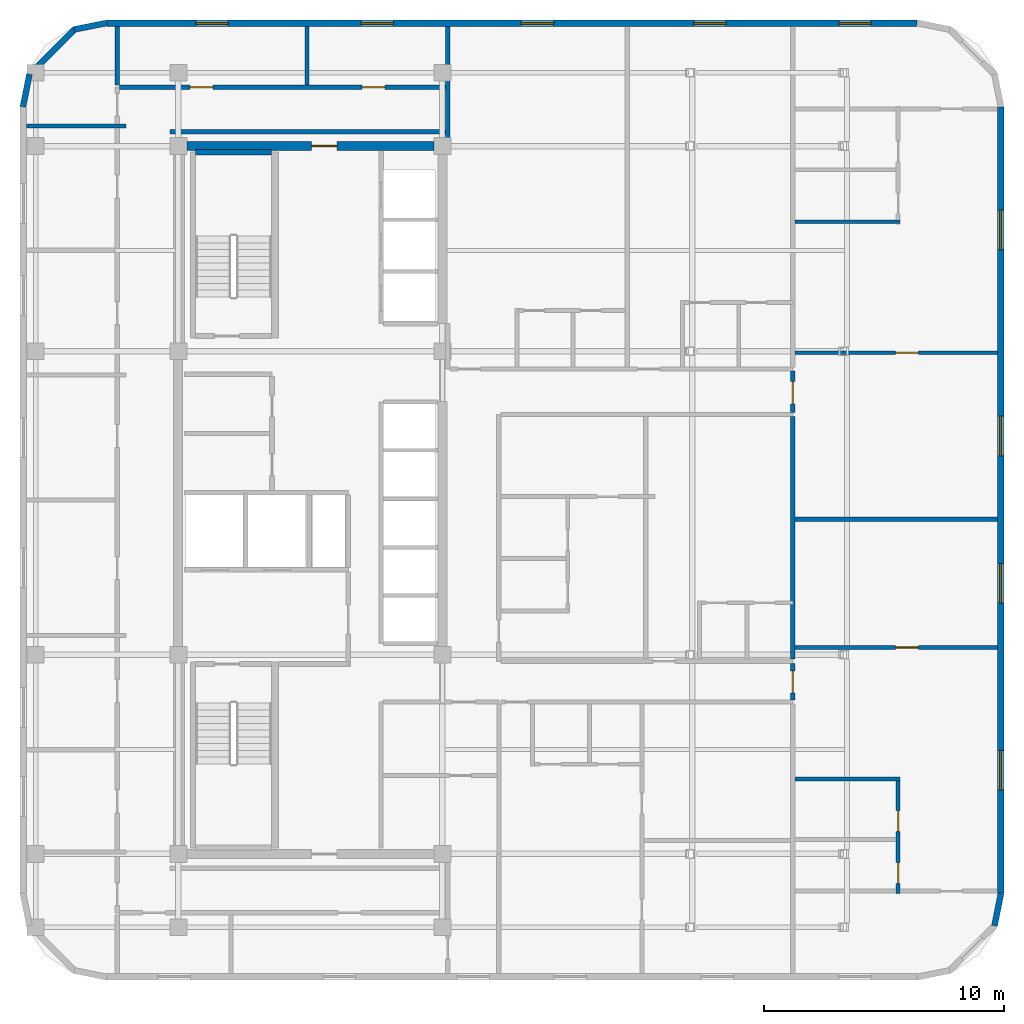
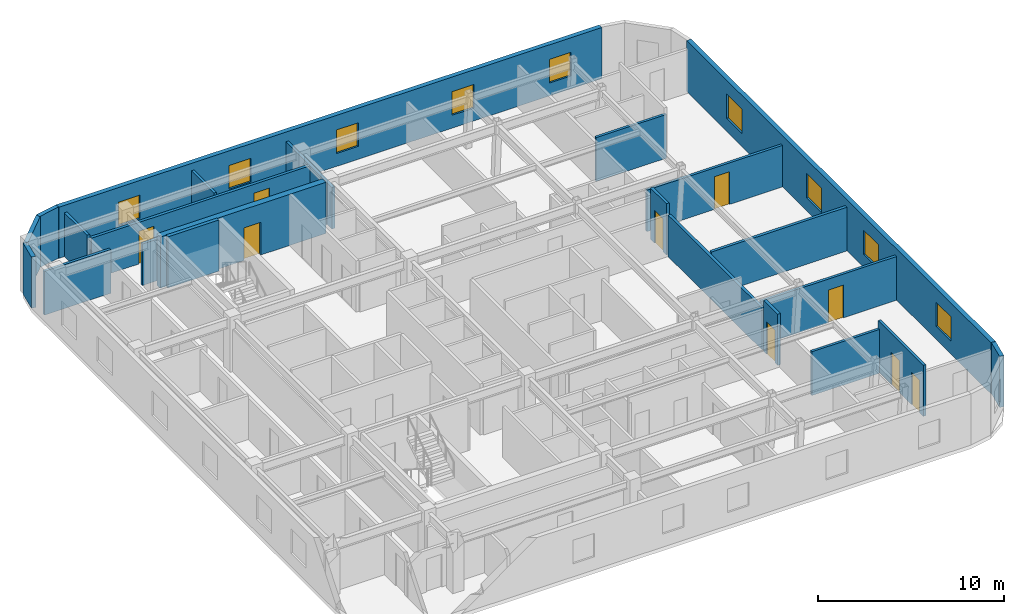
# One storey, part 6 of 8: 23 walls, 9 doors, 9 windows, 18 openings.
"""IFC4 building model written with IfcOpenShell, lengths in metres."""

from ifc_helpers import new_model, si_unit, direction, frame, frame_2d, origin, place, context, subcontext, project, spatial, rectangle, extrude, material, layer, layer_set, type_object, element, fill, save


model = new_model("IFC4")

# Units and contexts
model_context = context("Model", 3, precision=1e-05, world=origin(), true_north=direction((0.0, 1.0)))
body_context = subcontext(model_context, "Body", "Model", "MODEL_VIEW")
ifc_project = project(units=[si_unit("LENGTHUNIT", "METRE"), si_unit("AREAUNIT", "SQUARE_METRE"), si_unit("VOLUMEUNIT", "CUBIC_METRE"), si_unit("PLANEANGLEUNIT", "RADIAN"), si_unit("MASSUNIT", "GRAM", prefix="KILO")], contexts=[model_context])

# Site, building, storey
site_placement = place(None, origin())
site = spatial("IfcSite", under=ifc_project, at=site_placement, CompositionType="ELEMENT")
building_placement = place(site_placement, origin())
building = spatial("IfcBuilding", under=site, at=building_placement, Name="Ochreholt Gables", CompositionType="ELEMENT")
storey_placement = place(building_placement, frame((0.0, 0.0, 159.0)))
storey = spatial("IfcBuildingStorey", under=building, at=storey_placement, Name="L41", CompositionType="ELEMENT", Elevation=159.0)

# Wall, opening, door
ifc_material_1 = material(Name="Concrete 50 MPa", Category="concrete")
ifc_layer_1 = layer(ifc_material_1, 0.3798828125, Name="Concrete 50 MPa")
ifc_layer_set_1 = layer_set([ifc_layer_1], Name="Concrete 50 MPa")
wall_type_1 = type_object("IfcWallType", Name="WALL-CSW-380", PredefinedType="SHEAR", material=ifc_layer_set_1)
wall_1_placement = place(storey_placement, frame((24.550048828125, 38.75, 0.0), z_axis=(0.0, 0.0, 1.0), x_axis=(1.0, 0.0, 0.0)))
wall_1 = element("IfcWall", 1, at=wall_1_placement, inside=storey, type_object=wall_type_1, Name="L41 Core North Shear Wall", PredefinedType="SHEAR", context=body_context, shape_type="SweptSolid", body=[
    extrude(rectangle(XDim=10.300048828125, YDim=0.3798828125, at=frame_2d((5.14990234375, 0.0))), origin(), (0.0, 0.0, 1.0), 3.360107421875),
])
opening_1_placement = place(wall_1_placement, frame((5.199951171875, 0.0, 0.0)))
opening_1 = element("IfcOpeningElement", 2, at=opening_1_placement, cuts=wall_1, Name="Opening D-FLB", PredefinedType="OPENING", context=body_context, shape_type="SweptSolid", body=[
    extrude(rectangle(XDim=1.050048828125, YDim=2.14990234375, at=frame_2d((0.52490234375, 1.074951171875))), frame((0.0, 0.199951171875, 0.0), z_axis=(0.0, -1.0, 0.0), x_axis=(1.0, 0.0, 0.0)), (0.0, 0.0, 1.0), 0.39990234375),
])
ifc_material_2 = material(Name="Hollow Metal Steel", Category="steel")
door_type_1 = type_object("IfcDoorType", Name="DR-INT-FLB1050", OperationType="NOTDEFINED", PredefinedType="DOOR", material=ifc_material_2)
door_1_placement = place(opening_1_placement, frame((1.050048828125, 0.0, 0.0), z_axis=(0.0, 0.0, 1.0), x_axis=(-1.0, 0.0, 0.0)))
door_1 = element("IfcDoor", 3, at=door_1_placement, inside=storey, type_object=door_type_1, Name="L41 Door D-C2CRN-L41", OperationType="SINGLE_SWING_RIGHT", OverallHeight=2.14990234375, OverallWidth=1.050048828125, PredefinedType="DOOR", context=body_context, shape_type="SweptSolid", body=[
    extrude(rectangle(XDim=1.050048828125, YDim=2.14990234375, at=frame_2d((0.52490234375, 1.074951171875))), frame((0.0, 0.02490234375, 0.0), z_axis=(0.0, -1.0, 0.0), x_axis=(1.0, 0.0, 0.0)), (0.0, 0.0, 1.0), 0.050048828125),
])
fill(opening_1, door_1)

# Wall, openings, windows
ifc_material_3 = material(Name="Precast concrete 40 MPa", Category="concrete")
ifc_layer_2 = layer(ifc_material_3, 0.280029296875, Name="Precast concrete 40 MPa")
ifc_layer_set_2 = layer_set([ifc_layer_2], Name="Precast concrete 40 MPa")
wall_type_2 = type_object("IfcWallType", Name="WALL-EXT-280", PredefinedType="SOLIDWALL", material=ifc_layer_set_2)
wall_2_placement = place(storey_placement, frame((58.4599609375, 7.6201171875, 0.0), z_axis=(0.0, 0.0, 1.0), x_axis=(0.0, 1.0, 0.0)))
wall_2 = element("IfcWall", 4, at=wall_2_placement, inside=storey, type_object=wall_type_2, Name="L41 East Exterior Wall", PredefinedType="SOLIDWALL", context=body_context, shape_type="SweptSolid", body=[
    extrude(rectangle(XDim=32.759765625, YDim=0.280029296875, at=frame_2d((16.3798828125, 0.0))), origin(), (0.0, 0.0, 1.0), 3.360107421875),
])
opening_2_placement = place(wall_2_placement, frame((4.290283203125, 0.0, 0.85009765625)))
opening_2 = element("IfcOpeningElement", 5, at=opening_2_placement, cuts=wall_2, Name="Opening WN-7", PredefinedType="OPENING", context=body_context, shape_type="SweptSolid", body=[
    extrude(rectangle(XDim=1.64990234375, YDim=1.60009765625, at=frame_2d((0.824951171875, 0.800048828125))), frame((0.0, 0.14990234375, 0.0), z_axis=(0.0, -1.0, 0.0), x_axis=(1.0, 0.0, 0.0)), (0.0, 0.0, 1.0), 0.300048828125),
])
opening_3_placement = place(wall_2_placement, frame((12.080078125, 0.0, 0.85009765625)))
opening_3 = element("IfcOpeningElement", 6, at=opening_3_placement, cuts=wall_2, Name="Opening WN-7", PredefinedType="OPENING", context=body_context, shape_type="SweptSolid", body=[
    extrude(rectangle(XDim=1.64990234375, YDim=1.60009765625, at=frame_2d((0.824951171875, 0.800048828125))), frame((0.0, 0.14990234375, 0.0), z_axis=(0.0, -1.0, 0.0), x_axis=(1.0, 0.0, 0.0)), (0.0, 0.0, 1.0), 0.300048828125),
])
opening_4_placement = place(wall_2_placement, frame((18.22265625, 0.0, 0.85009765625)))
opening_4 = element("IfcOpeningElement", 7, at=opening_4_placement, cuts=wall_2, Name="Opening WN-7", PredefinedType="OPENING", context=body_context, shape_type="SweptSolid", body=[
    extrude(rectangle(XDim=1.64990234375, YDim=1.60009765625, at=frame_2d((0.824951171875, 0.800048828125))), frame((0.0, 0.14990234375, 0.0), z_axis=(0.0, -1.0, 0.0), x_axis=(1.0, 0.0, 0.0)), (0.0, 0.0, 1.0), 0.300048828125),
])
opening_5_placement = place(wall_2_placement, frame((26.8125, 0.0, 0.85009765625)))
opening_5 = element("IfcOpeningElement", 8, at=opening_5_placement, cuts=wall_2, Name="Opening WN-7", PredefinedType="OPENING", context=body_context, shape_type="SweptSolid", body=[
    extrude(rectangle(XDim=1.64990234375, YDim=1.60009765625, at=frame_2d((0.824951171875, 0.800048828125))), frame((0.0, 0.14990234375, 0.0), z_axis=(0.0, -1.0, 0.0), x_axis=(1.0, 0.0, 0.0)), (0.0, 0.0, 1.0), 0.300048828125),
])
ifc_material_4 = material(Name="Triple-Glazed Thermally Broken Aluminium Window", Category="aluminium")
window_type_1 = type_object("IfcWindowType", Name="WIN-RES-1650", PartitioningType="SINGLE_PANEL", PredefinedType="WINDOW", material=ifc_material_4)
window_1_placement = place(opening_2_placement, origin())
window_1 = element("IfcWindow", 9, at=window_1_placement, inside=storey, type_object=window_type_1, Name="L41 Window W-EXT-E-L41-1", OverallHeight=1.60009765625, OverallWidth=1.64990234375, PartitioningType="SINGLE_PANEL", PredefinedType="WINDOW", context=body_context, shape_type="SweptSolid", body=[
    extrude(rectangle(XDim=1.64990234375, YDim=1.60009765625, at=frame_2d((0.824951171875, 0.800048828125))), frame((0.0, 0.030029296875, 0.0), z_axis=(0.0, -1.0, 0.0), x_axis=(1.0, 0.0, 0.0)), (0.0, 0.0, 1.0), 0.06005859375),
])
fill(opening_2, window_1)
window_2_placement = place(opening_3_placement, origin())
window_2 = element("IfcWindow", 10, at=window_2_placement, inside=storey, type_object=window_type_1, Name="L41 Window W-EXT-E-L41-2", OverallHeight=1.60009765625, OverallWidth=1.64990234375, PartitioningType="SINGLE_PANEL", PredefinedType="WINDOW", context=body_context, shape_type="SweptSolid", body=[
    extrude(rectangle(XDim=1.64990234375, YDim=1.60009765625, at=frame_2d((0.824951171875, 0.800048828125))), frame((0.0, 0.030029296875, 0.0), z_axis=(0.0, -1.0, 0.0), x_axis=(1.0, 0.0, 0.0)), (0.0, 0.0, 1.0), 0.06005859375),
])
fill(opening_3, window_2)
window_3_placement = place(opening_4_placement, origin())
window_3 = element("IfcWindow", 11, at=window_3_placement, inside=storey, type_object=window_type_1, Name="L41 Window W-EXT-E-L41-3", OverallHeight=1.60009765625, OverallWidth=1.64990234375, PartitioningType="SINGLE_PANEL", PredefinedType="WINDOW", context=body_context, shape_type="SweptSolid", body=[
    extrude(rectangle(XDim=1.64990234375, YDim=1.60009765625, at=frame_2d((0.824951171875, 0.800048828125))), frame((0.0, 0.030029296875, 0.0), z_axis=(0.0, -1.0, 0.0), x_axis=(1.0, 0.0, 0.0)), (0.0, 0.0, 1.0), 0.06005859375),
])
fill(opening_4, window_3)
window_4_placement = place(opening_5_placement, origin())
window_4 = element("IfcWindow", 12, at=window_4_placement, inside=storey, type_object=window_type_1, Name="L41 Window W-EXT-E-L41-4", OverallHeight=1.60009765625, OverallWidth=1.64990234375, PartitioningType="SINGLE_PANEL", PredefinedType="WINDOW", context=body_context, shape_type="SweptSolid", body=[
    extrude(rectangle(XDim=1.64990234375, YDim=1.60009765625, at=frame_2d((0.824951171875, 0.800048828125))), frame((0.0, 0.030029296875, 0.0), z_axis=(0.0, -1.0, 0.0), x_axis=(1.0, 0.0, 0.0)), (0.0, 0.0, 1.0), 0.06005859375),
])
fill(opening_5, window_4)

wall_3_placement = place(storey_placement, frame((54.97998046875, 43.860107421875, 0.0), z_axis=(0.0, 0.0, 1.0), x_axis=(-1.0, 0.0, 0.0)))
wall_3 = element("IfcWall", 13, at=wall_3_placement, inside=storey, type_object=wall_type_2, Name="L41 North Exterior Wall", PredefinedType="SOLIDWALL", context=body_context, shape_type="SweptSolid", body=[
    extrude(rectangle(XDim=33.760009765625, YDim=0.280029296875, at=frame_2d((16.8798828125, 0.0))), origin(), (0.0, 0.0, 1.0), 3.360107421875),
])
opening_6_placement = place(wall_3_placement, frame((28.705078125, 0.0, 0.85009765625)))
opening_6 = element("IfcOpeningElement", 14, at=opening_6_placement, cuts=wall_3, Name="Opening WN-8", PredefinedType="OPENING", context=body_context, shape_type="SweptSolid", body=[
    extrude(rectangle(XDim=1.35009765625, YDim=1.550048828125, at=frame_2d((0.675048828125, 0.77490234375))), frame((0.0, 0.14990234375, 0.0), z_axis=(0.0, -1.0, 0.0), x_axis=(1.0, 0.0, 0.0)), (0.0, 0.0, 1.0), 0.300048828125),
])
opening_7_placement = place(wall_3_placement, frame((21.820068359375, 0.0, 0.85009765625)))
opening_7 = element("IfcOpeningElement", 15, at=opening_7_placement, cuts=wall_3, Name="Opening WN-8", PredefinedType="OPENING", context=body_context, shape_type="SweptSolid", body=[
    extrude(rectangle(XDim=1.35009765625, YDim=1.550048828125, at=frame_2d((0.675048828125, 0.77490234375))), frame((0.0, 0.14990234375, 0.0), z_axis=(0.0, -1.0, 0.0), x_axis=(1.0, 0.0, 0.0)), (0.0, 0.0, 1.0), 0.300048828125),
])
opening_8_placement = place(wall_3_placement, frame((15.146240234375, 0.0, 0.85009765625)))
opening_8 = element("IfcOpeningElement", 16, at=opening_8_placement, cuts=wall_3, Name="Opening WN-8", PredefinedType="OPENING", context=body_context, shape_type="SweptSolid", body=[
    extrude(rectangle(XDim=1.35009765625, YDim=1.550048828125, at=frame_2d((0.675048828125, 0.77490234375))), frame((0.0, 0.14990234375, 0.0), z_axis=(0.0, -1.0, 0.0), x_axis=(1.0, 0.0, 0.0)), (0.0, 0.0, 1.0), 0.300048828125),
])
opening_9_placement = place(wall_3_placement, frame((7.956298828125, 0.0, 0.85009765625)))
opening_9 = element("IfcOpeningElement", 17, at=opening_9_placement, cuts=wall_3, Name="Opening WN-8", PredefinedType="OPENING", context=body_context, shape_type="SweptSolid", body=[
    extrude(rectangle(XDim=1.35009765625, YDim=1.550048828125, at=frame_2d((0.675048828125, 0.77490234375))), frame((0.0, 0.14990234375, 0.0), z_axis=(0.0, -1.0, 0.0), x_axis=(1.0, 0.0, 0.0)), (0.0, 0.0, 1.0), 0.300048828125),
])
opening_10_placement = place(wall_3_placement, frame((1.9150390625, 0.0, 0.85009765625)))
opening_10 = element("IfcOpeningElement", 18, at=opening_10_placement, cuts=wall_3, Name="Opening WN-8", PredefinedType="OPENING", context=body_context, shape_type="SweptSolid", body=[
    extrude(rectangle(XDim=1.35009765625, YDim=1.550048828125, at=frame_2d((0.675048828125, 0.77490234375))), frame((0.0, 0.14990234375, 0.0), z_axis=(0.0, -1.0, 0.0), x_axis=(1.0, 0.0, 0.0)), (0.0, 0.0, 1.0), 0.300048828125),
])
window_type_2 = type_object("IfcWindowType", Name="WIN-RES-1350", PartitioningType="SINGLE_PANEL", PredefinedType="WINDOW", material=ifc_material_4)
window_5_placement = place(opening_6_placement, origin())
window_5 = element("IfcWindow", 19, at=window_5_placement, inside=storey, type_object=window_type_2, Name="L41 Window W-EXT-N-L41-1", OverallHeight=1.550048828125, OverallWidth=1.35009765625, PartitioningType="SINGLE_PANEL", PredefinedType="WINDOW", context=body_context, shape_type="SweptSolid", body=[
    extrude(rectangle(XDim=1.35009765625, YDim=1.550048828125, at=frame_2d((0.675048828125, 0.77490234375))), frame((0.0, 0.030029296875, 0.0), z_axis=(0.0, -1.0, 0.0), x_axis=(1.0, 0.0, 0.0)), (0.0, 0.0, 1.0), 0.06005859375),
])
fill(opening_6, window_5)
window_6_placement = place(opening_7_placement, origin())
window_6 = element("IfcWindow", 20, at=window_6_placement, inside=storey, type_object=window_type_2, Name="L41 Window W-EXT-N-L41-2", OverallHeight=1.550048828125, OverallWidth=1.35009765625, PartitioningType="SINGLE_PANEL", PredefinedType="WINDOW", context=body_context, shape_type="SweptSolid", body=[
    extrude(rectangle(XDim=1.35009765625, YDim=1.550048828125, at=frame_2d((0.675048828125, 0.77490234375))), frame((0.0, 0.030029296875, 0.0), z_axis=(0.0, -1.0, 0.0), x_axis=(1.0, 0.0, 0.0)), (0.0, 0.0, 1.0), 0.06005859375),
])
fill(opening_7, window_6)
window_7_placement = place(opening_8_placement, origin())
window_7 = element("IfcWindow", 21, at=window_7_placement, inside=storey, type_object=window_type_2, Name="L41 Window W-EXT-N-L41-3", OverallHeight=1.550048828125, OverallWidth=1.35009765625, PartitioningType="SINGLE_PANEL", PredefinedType="WINDOW", context=body_context, shape_type="SweptSolid", body=[
    extrude(rectangle(XDim=1.35009765625, YDim=1.550048828125, at=frame_2d((0.675048828125, 0.77490234375))), frame((0.0, 0.030029296875, 0.0), z_axis=(0.0, -1.0, 0.0), x_axis=(1.0, 0.0, 0.0)), (0.0, 0.0, 1.0), 0.06005859375),
])
fill(opening_8, window_7)
window_8_placement = place(opening_9_placement, origin())
window_8 = element("IfcWindow", 22, at=window_8_placement, inside=storey, type_object=window_type_2, Name="L41 Window W-EXT-N-L41-4", OverallHeight=1.550048828125, OverallWidth=1.35009765625, PartitioningType="SINGLE_PANEL", PredefinedType="WINDOW", context=body_context, shape_type="SweptSolid", body=[
    extrude(rectangle(XDim=1.35009765625, YDim=1.550048828125, at=frame_2d((0.675048828125, 0.77490234375))), frame((0.0, 0.030029296875, 0.0), z_axis=(0.0, -1.0, 0.0), x_axis=(1.0, 0.0, 0.0)), (0.0, 0.0, 1.0), 0.06005859375),
])
fill(opening_9, window_8)
window_9_placement = place(opening_10_placement, origin())
window_9 = element("IfcWindow", 23, at=window_9_placement, inside=storey, type_object=window_type_2, Name="L41 Window W-EXT-N-L41-5", OverallHeight=1.550048828125, OverallWidth=1.35009765625, PartitioningType="SINGLE_PANEL", PredefinedType="WINDOW", context=body_context, shape_type="SweptSolid", body=[
    extrude(rectangle(XDim=1.35009765625, YDim=1.550048828125, at=frame_2d((0.675048828125, 0.77490234375))), frame((0.0, 0.030029296875, 0.0), z_axis=(0.0, -1.0, 0.0), x_axis=(1.0, 0.0, 0.0)), (0.0, 0.0, 1.0), 0.06005859375),
])
fill(opening_10, window_9)

# Walls
ifc_layer_3 = layer(ifc_material_3, 0.25, Name="Precast concrete 40 MPa")
ifc_layer_set_3 = layer_set([ifc_layer_3], Name="Precast concrete 40 MPa")
wall_type_3 = type_object("IfcWallType", Name="WALL-EXT-CNR", PredefinedType="SOLIDWALL", material=ifc_layer_set_3)
for number, where, z_axis, x_axis, name in (
    (24, (58.205078125, 6.25439453125, 0.0), (0.0, 0.0, 1.0), (0.19496651342, 0.980809899341, 0.0), "L41 Rounded Corner Wall SE-3"),
    (25, (21.216552734375, 43.875732421875, 0.0), (0.0, 0.0, 1.0), (-0.980809899341, -0.19496651342, 0.0), "L41 Rounded Corner Wall NW-1"),
):
    element("IfcWall", number, at=place(storey_placement, frame(where, z_axis=z_axis, x_axis=x_axis)), inside=storey, type_object=wall_type_3, Name=name, PredefinedType="SOLIDWALL", context=body_context, shape_type="SweptSolid", body=[
        extrude(rectangle(XDim=1.388671875, YDim=0.25, at=frame_2d((0.6943359375, 0.0))), origin(), (0.0, 0.0, 1.0), 3.360107421875),
    ])
wall_4_placement = place(storey_placement, frame((19.905029296875, 43.632080078125, 0.0), z_axis=(0.0, 0.0, 1.0), x_axis=(-0.707106781187, -0.707106781187, 0.0)))
element("IfcWall", 26, at=wall_4_placement, inside=storey, type_object=wall_type_3, Name="L41 Rounded Corner Wall NW-2", PredefinedType="SOLIDWALL", context=body_context, shape_type="SweptSolid", body=[
    extrude(rectangle(XDim=2.7392578125, YDim=0.25, at=frame_2d((1.36962890625, 0.0))), origin(), (0.0, 0.0, 1.0), 3.360107421875),
])
wall_5_placement = place(storey_placement, frame((17.9951171875, 41.74560546875, 0.0), z_axis=(0.0, 0.0, 1.0), x_axis=(-0.195135625965, -0.9807762678, 0.0)))
element("IfcWall", 27, at=wall_5_placement, inside=storey, type_object=wall_type_3, Name="L41 Rounded Corner Wall NW-3", PredefinedType="SOLIDWALL", context=body_context, shape_type="SweptSolid", body=[
    extrude(rectangle(XDim=1.388671875, YDim=0.25, at=frame_2d((0.6943359375, 0.0))), origin(), (0.0, 0.0, 1.0), 3.360107421875),
])

# Wall, openings, doors
ifc_material_5 = material(Name="Fire-Rated Gypsum Acoustic Partition", Category="gypsum")
ifc_layer_4 = layer(ifc_material_5, 0.179931640625, Name="Fire-Rated Gypsum Acoustic Partition")
ifc_layer_set_4 = layer_set([ifc_layer_4], Name="Fire-Rated Gypsum Acoustic Partition")
wall_type_4 = type_object("IfcWallType", Name="WALL-INT-CR180", PredefinedType="STANDARD", material=ifc_layer_set_4)
wall_6_placement = place(storey_placement, frame((21.739990234375, 41.199951171875, 0.0), z_axis=(0.0, 0.0, 1.0), x_axis=(1.0, 0.0, 0.0)))
wall_6 = element("IfcWall", 28, at=wall_6_placement, inside=storey, type_object=wall_type_4, Name="L41 Interior Wall WI-C2WCN-L41", PredefinedType="STANDARD", context=body_context, shape_type="SweptSolid", body=[
    extrude(rectangle(XDim=13.679931640625, YDim=0.179931640625, at=frame_2d((6.83984375, 0.0))), origin(), (0.0, 0.0, 1.0), 2.72998046875),
])
opening_11_placement = place(wall_6_placement, frame((2.949951171875, 0.0, 0.0)))
opening_11 = element("IfcOpeningElement", 29, at=opening_11_placement, cuts=wall_6, Name="Opening D-GN1", PredefinedType="OPENING", context=body_context, shape_type="SweptSolid", body=[
    extrude(rectangle(XDim=0.949951171875, YDim=2.14990234375, at=frame_2d((0.47509765625, 1.074951171875))), frame((0.0, 0.099853515625, 0.0), z_axis=(0.0, -1.0, 0.0), x_axis=(1.0, 0.0, 0.0)), (0.0, 0.0, 1.0), 0.199951171875),
])
opening_12_placement = place(wall_6_placement, frame((10.110107421875, 0.0, 0.0)))
opening_12 = element("IfcOpeningElement", 30, at=opening_12_placement, cuts=wall_6, Name="Opening D-GN1", PredefinedType="OPENING", context=body_context, shape_type="SweptSolid", body=[
    extrude(rectangle(XDim=0.949951171875, YDim=2.14990234375, at=frame_2d((0.47509765625, 1.074951171875))), frame((0.0, 0.099853515625, 0.0), z_axis=(0.0, -1.0, 0.0), x_axis=(1.0, 0.0, 0.0)), (0.0, 0.0, 1.0), 0.199951171875),
])
ifc_material_6 = material(Name="Engineered Oak Timber", Category="wood")
door_type_2 = type_object("IfcDoorType", Name="DR-INT-GEN950", OperationType="NOTDEFINED", PredefinedType="DOOR", material=ifc_material_6)
door_2_placement = place(opening_11_placement, origin())
door_2 = element("IfcDoor", 31, at=door_2_placement, inside=storey, type_object=door_type_2, Name="L41 Door D-C2NRS1-L41", OperationType="SINGLE_SWING_RIGHT", OverallHeight=2.14990234375, OverallWidth=0.949951171875, PredefinedType="DOOR", context=body_context, shape_type="SweptSolid", body=[
    extrude(rectangle(XDim=0.949951171875, YDim=2.14990234375, at=frame_2d((0.47509765625, 1.074951171875))), frame((0.0, 0.02490234375, 0.0), z_axis=(0.0, -1.0, 0.0), x_axis=(1.0, 0.0, 0.0)), (0.0, 0.0, 1.0), 0.050048828125),
])
fill(opening_11, door_2)
door_3_placement = place(opening_12_placement, origin())
door_3 = element("IfcDoor", 32, at=door_3_placement, inside=storey, type_object=door_type_2, Name="L41 Door D-C2NRS2-L41", OperationType="SINGLE_SWING_LEFT", OverallHeight=2.14990234375, OverallWidth=0.949951171875, PredefinedType="DOOR", context=body_context, shape_type="SweptSolid", body=[
    extrude(rectangle(XDim=0.949951171875, YDim=2.14990234375, at=frame_2d((0.47509765625, 1.074951171875))), frame((0.0, 0.02490234375, 0.0), z_axis=(0.0, -1.0, 0.0), x_axis=(1.0, 0.0, 0.0)), (0.0, 0.0, 1.0), 0.050048828125),
])
fill(opening_12, door_3)

# Wall
wall_7_placement = place(storey_placement, frame((23.85009765625, 39.35009765625, 0.0), z_axis=(0.0, 0.0, 1.0), x_axis=(1.0, 0.0, 0.0)))
element("IfcWall", 33, at=wall_7_placement, inside=storey, type_object=wall_type_4, Name="L41 Interior Wall WI-C2WCN2-L41", PredefinedType="STANDARD", context=body_context, shape_type="SweptSolid", body=[
    extrude(rectangle(XDim=11.56982421875, YDim=0.179931640625, at=frame_2d((5.784912109375, 0.0))), origin(), (0.0, 0.0, 1.0), 2.72998046875),
])

# Wall, opening, door
wall_8_placement = place(storey_placement, frame((49.800048828125, 15.669921875, 0.0), z_axis=(0.0, 0.0, 1.0), x_axis=(0.0, 1.0, 0.0)))
wall_8 = element("IfcWall", 34, at=wall_8_placement, inside=storey, type_object=wall_type_4, Name="L41 Interior Wall WI-C2SSE-L41", PredefinedType="STANDARD", context=body_context, shape_type="SweptSolid", body=[
    extrude(rectangle(XDim=1.52001953125, YDim=0.179931640625, at=frame_2d((0.760009765625, 0.0))), origin(), (0.0, 0.0, 1.0), 3.360107421875),
])
opening_13_placement = place(wall_8_placement, frame((0.2900390625, 0.0, 0.0)))
opening_13 = element("IfcOpeningElement", 35, at=opening_13_placement, cuts=wall_8, Name="Opening D-UN1", PredefinedType="OPENING", context=body_context, shape_type="SweptSolid", body=[
    extrude(rectangle(XDim=0.919921875, YDim=2.14990234375, at=frame_2d((0.4599609375, 1.074951171875))), frame((0.0, 0.099853515625, 0.0), z_axis=(0.0, -1.0, 0.0), x_axis=(1.0, 0.0, 0.0)), (0.0, 0.0, 1.0), 0.199951171875),
])
door_type_3 = type_object("IfcDoorType", Name="DR-INT-UNT920", OperationType="NOTDEFINED", PredefinedType="DOOR", material=ifc_material_6)
door_4_placement = place(opening_13_placement, origin())
door_4 = element("IfcDoor", 36, at=door_4_placement, inside=storey, type_object=door_type_3, Name="L41 Door D-U-L41FES-ENT", OperationType="SINGLE_SWING_LEFT", OverallHeight=2.14990234375, OverallWidth=0.919921875, PredefinedType="DOOR", context=body_context, shape_type="SweptSolid", body=[
    extrude(rectangle(XDim=0.919921875, YDim=2.14990234375, at=frame_2d((0.4599609375, 1.074951171875))), frame((0.0, 0.02490234375, 0.0), z_axis=(0.0, -1.0, 0.0), x_axis=(1.0, 0.0, 0.0)), (0.0, 0.0, 1.0), 0.050048828125),
])
fill(opening_13, door_4)

wall_9_placement = place(storey_placement, frame((49.800048828125, 27.64990234375, 0.0), z_axis=(0.0, 0.0, 1.0), x_axis=(0.0, 1.0, 0.0)))
wall_9 = element("IfcWall", 37, at=wall_9_placement, inside=storey, type_object=wall_type_4, Name="L41 Interior Wall WI-C2SNE-L41", PredefinedType="STANDARD", context=body_context, shape_type="SweptSolid", body=[
    extrude(rectangle(XDim=1.72021484375, YDim=0.179931640625, at=frame_2d((0.860107421875, 0.0))), origin(), (0.0, 0.0, 1.0), 3.360107421875),
])
opening_14_placement = place(wall_9_placement, frame((0.360107421875, 0.0, 0.0)))
opening_14 = element("IfcOpeningElement", 38, at=opening_14_placement, cuts=wall_9, Name="Opening D-UN1", PredefinedType="OPENING", context=body_context, shape_type="SweptSolid", body=[
    extrude(rectangle(XDim=0.919921875, YDim=2.14990234375, at=frame_2d((0.4599609375, 1.074951171875))), frame((0.0, 0.099853515625, 0.0), z_axis=(0.0, -1.0, 0.0), x_axis=(1.0, 0.0, 0.0)), (0.0, 0.0, 1.0), 0.199951171875),
])
door_5_placement = place(opening_14_placement, origin())
door_5 = element("IfcDoor", 39, at=door_5_placement, inside=storey, type_object=door_type_3, Name="L41 Door D-U-L41FEN-ENT", OperationType="SINGLE_SWING_RIGHT", OverallHeight=2.14990234375, OverallWidth=0.919921875, PredefinedType="DOOR", context=body_context, shape_type="SweptSolid", body=[
    extrude(rectangle(XDim=0.919921875, YDim=2.14990234375, at=frame_2d((0.4599609375, 1.074951171875))), frame((0.0, 0.02490234375, 0.0), z_axis=(0.0, -1.0, 0.0), x_axis=(1.0, 0.0, 0.0)), (0.0, 0.0, 1.0), 0.050048828125),
])
fill(opening_14, door_5)

# Walls
ifc_material_7 = material(Name="Double-Stud Acoustic Demising Wall", Category="gypsum")
ifc_layer_5 = layer(ifc_material_7, 0.179931640625, Name="Double-Stud Acoustic Demising Wall")
ifc_layer_set_5 = layer_set([ifc_layer_5], Name="Double-Stud Acoustic Demising Wall")
wall_type_5 = type_object("IfcWallType", Name="WALL-INT-DM180", PredefinedType="PARTITIONING", material=ifc_layer_set_5)
wall_10_placement = place(storey_placement, frame((21.64990234375, 41.2900390625, 0.0), z_axis=(0.0, 0.0, 1.0), x_axis=(0.0, 1.0, 0.0)))
element("IfcWall", 40, at=wall_10_placement, inside=storey, type_object=wall_type_5, Name="L41 Interior Wall WI-C2WWN-L41", PredefinedType="PARTITIONING", context=body_context, shape_type="SweptSolid", body=[
    extrude(rectangle(XDim=2.429931640625, YDim=0.179931640625, at=frame_2d((1.21484375, 0.0))), origin(), (0.0, 0.0, 1.0), 2.87890625),
])
wall_11_placement = place(storey_placement, frame((35.419921875, 38.75, 0.0), z_axis=(0.0, 0.0, 1.0), x_axis=(0.0, 1.0, 0.0)))
element("IfcWall", 41, at=wall_11_placement, inside=storey, type_object=wall_type_5, Name="L41 Interior Wall WI-C2NEN-L41", PredefinedType="PARTITIONING", context=body_context, shape_type="SweptSolid", body=[
    extrude(rectangle(XDim=4.969970703125, YDim=0.179931640625, at=frame_2d((2.48486328125, 0.0))), origin(), (0.0, 0.0, 1.0), 2.72998046875),
])
wall_12_placement = place(storey_placement, frame((49.800048828125, 17.3701171875, 0.0), z_axis=(0.0, 0.0, 1.0), x_axis=(0.0, 1.0, 0.0)))
element("IfcWall", 42, at=wall_12_placement, inside=storey, type_object=wall_type_5, Name="L41 Interior Wall WI-C2FEW2-L41", PredefinedType="PARTITIONING", context=body_context, shape_type="SweptSolid", body=[
    extrude(rectangle(XDim=10.099853515625, YDim=0.179931640625, at=frame_2d((5.0498046875, 0.0))), origin(), (0.0, 0.0, 1.0), 2.72998046875),
])
wall_13_placement = place(storey_placement, frame((49.889892578125, 23.199951171875, 0.0), z_axis=(0.0, 0.0, 1.0), x_axis=(1.0, 0.0, 0.0)))
element("IfcWall", 43, at=wall_13_placement, inside=storey, type_object=wall_type_5, Name="L41 Interior Wall WI-C2FED-L41", PredefinedType="PARTITIONING", context=body_context, shape_type="SweptSolid", body=[
    extrude(rectangle(XDim=8.43017578125, YDim=0.179931640625, at=frame_2d((4.215087890625, 0.0))), origin(), (0.0, 0.0, 1.0), 2.87890625),
])
ifc_material_8 = material(Name="Moisture-Resistant Plumbing Chase Wall", Category="gypsum")
ifc_layer_6 = layer(ifc_material_8, 0.159912109375, Name="Moisture-Resistant Plumbing Chase Wall")
ifc_layer_set_6 = layer_set([ifc_layer_6], Name="Moisture-Resistant Plumbing Chase Wall")
wall_type_6 = type_object("IfcWallType", Name="WALL-INT-PL160", PredefinedType="PLUMBINGWALL", material=ifc_layer_set_6)
wall_14_placement = place(storey_placement, frame((49.889892578125, 12.37841796875, 0.0), z_axis=(0.0, 0.0, 1.0), x_axis=(1.0, 0.0, 0.0)))
element("IfcWall", 44, at=wall_14_placement, inside=storey, type_object=wall_type_6, Name="L41 Interior Wall WU-L41FES-FYN", PredefinedType="PLUMBINGWALL", context=body_context, shape_type="SweptSolid", body=[
    extrude(rectangle(XDim=4.380126953125, YDim=0.159912109375, at=frame_2d((2.18994140625, 0.0))), origin(), (0.0, 0.0, 1.0), 2.87890625),
])

# Wall, openings, doors
wall_15_placement = place(storey_placement, frame((54.18994140625, 7.610107421875, 0.0), z_axis=(0.0, 0.0, 1.0), x_axis=(0.0, 1.0, 0.0)))
wall_15 = element("IfcWall", 45, at=wall_15_placement, inside=storey, type_object=wall_type_6, Name="L41 Interior Wall WU-L41FES-WX", PredefinedType="PLUMBINGWALL", context=body_context, shape_type="SweptSolid", body=[
    extrude(rectangle(XDim=4.8583984375, YDim=0.159912109375, at=frame_2d((2.42919921875, 0.0))), origin(), (0.0, 0.0, 1.0), 3.360107421875),
])
opening_15_placement = place(wall_15_placement, frame((0.419921875, 0.0, 0.0)))
opening_15 = element("IfcOpeningElement", 46, at=opening_15_placement, cuts=wall_15, Name="Opening D-BT1", PredefinedType="OPENING", context=body_context, shape_type="SweptSolid", body=[
    extrude(rectangle(XDim=0.860107421875, YDim=2.1201171875, at=frame_2d((0.43017578125, 1.06005859375))), frame((0.0, 0.08984375, 0.0), z_axis=(0.0, -1.0, 0.0), x_axis=(1.0, 0.0, 0.0)), (0.0, 0.0, 1.0), 0.179931640625),
])
opening_16_placement = place(wall_15_placement, frame((2.572021484375, 0.0, 0.0)))
opening_16 = element("IfcOpeningElement", 47, at=opening_16_placement, cuts=wall_15, Name="Opening D-GN2", PredefinedType="OPENING", context=body_context, shape_type="SweptSolid", body=[
    extrude(rectangle(XDim=0.8798828125, YDim=2.1201171875, at=frame_2d((0.43994140625, 1.06005859375))), frame((0.0, 0.08984375, 0.0), z_axis=(0.0, -1.0, 0.0), x_axis=(1.0, 0.0, 0.0)), (0.0, 0.0, 1.0), 0.179931640625),
])
door_type_4 = type_object("IfcDoorType", Name="DR-INT-BTH860", OperationType="NOTDEFINED", PredefinedType="DOOR", material=ifc_material_6)
door_6_placement = place(opening_15_placement, origin())
door_6 = element("IfcDoor", 48, at=door_6_placement, inside=storey, type_object=door_type_4, Name="L41 Door D-U-L41FES-BTH", OperationType="SINGLE_SWING_RIGHT", OverallHeight=2.1201171875, OverallWidth=0.860107421875, PredefinedType="DOOR", context=body_context, shape_type="SweptSolid", body=[
    extrude(rectangle(XDim=0.860107421875, YDim=2.1201171875, at=frame_2d((0.43017578125, 1.06005859375))), frame((0.0, 0.02490234375, 0.0), z_axis=(0.0, -1.0, 0.0), x_axis=(1.0, 0.0, 0.0)), (0.0, 0.0, 1.0), 0.050048828125),
])
fill(opening_15, door_6)
door_type_5 = type_object("IfcDoorType", Name="DR-INT-GEN880", OperationType="NOTDEFINED", PredefinedType="DOOR", material=ifc_material_6)
door_7_placement = place(opening_16_placement, origin())
door_7 = element("IfcDoor", 49, at=door_7_placement, inside=storey, type_object=door_type_5, Name="L41 Door D-U-L41FES-KIT", OperationType="SINGLE_SWING_LEFT", OverallHeight=2.1201171875, OverallWidth=0.8798828125, PredefinedType="DOOR", context=body_context, shape_type="SweptSolid", body=[
    extrude(rectangle(XDim=0.8798828125, YDim=2.1201171875, at=frame_2d((0.43994140625, 1.06005859375))), frame((0.0, 0.02490234375, 0.0), z_axis=(0.0, -1.0, 0.0), x_axis=(1.0, 0.0, 0.0)), (0.0, 0.0, 1.0), 0.050048828125),
])
fill(opening_16, door_7)

# Wall
wall_16_placement = place(storey_placement, frame((49.889892578125, 35.593017578125, 0.0), z_axis=(0.0, 0.0, 1.0), x_axis=(1.0, 0.0, 0.0)))
element("IfcWall", 50, at=wall_16_placement, inside=storey, type_object=wall_type_6, Name="L41 Interior Wall WU-L41FEN-FYS", PredefinedType="PLUMBINGWALL", context=body_context, shape_type="SweptSolid", body=[
    extrude(rectangle(XDim=4.380126953125, YDim=0.159912109375, at=frame_2d((2.18994140625, 0.0))), origin(), (0.0, 0.0, 1.0), 2.87890625),
])

# Wall, opening, door
ifc_material_9 = material(Name="Gypsum Acoustic Stud Partition", Category="gypsum")
ifc_layer_7 = layer(ifc_material_9, 0.1650390625, Name="Gypsum Acoustic Stud Partition")
ifc_layer_set_7 = layer_set([ifc_layer_7], Name="Gypsum Acoustic Stud Partition")
wall_type_7 = type_object("IfcWallType", Name="WALL-INT-PT165", PredefinedType="PARTITIONING", material=ifc_layer_set_7)
wall_17_placement = place(storey_placement, frame((49.889892578125, 17.8505859375, 0.0), z_axis=(0.0, 0.0, 1.0), x_axis=(1.0, 0.0, 0.0)))
wall_17 = element("IfcWall", 51, at=wall_17_placement, inside=storey, type_object=wall_type_7, Name="L41 Interior Wall WU-L41FES-DNW", PredefinedType="PARTITIONING", context=body_context, shape_type="SweptSolid", body=[
    extrude(rectangle(XDim=8.43017578125, YDim=0.1650390625, at=frame_2d((4.215087890625, 0.0))), origin(), (0.0, 0.0, 1.0), 2.87890625),
])
opening_17_placement = place(wall_17_placement, frame((4.18994140625, 0.0, 0.0)))
opening_17 = element("IfcOpeningElement", 52, at=opening_17_placement, cuts=wall_17, Name="Opening D-GN1", PredefinedType="OPENING", context=body_context, shape_type="SweptSolid", body=[
    extrude(rectangle(XDim=0.949951171875, YDim=2.14990234375, at=frame_2d((0.47509765625, 1.074951171875))), frame((0.0, 0.092529296875, 0.0), z_axis=(0.0, -1.0, 0.0), x_axis=(1.0, 0.0, 0.0)), (0.0, 0.0, 1.0), 0.18505859375),
])
door_8_placement = place(opening_17_placement, origin())
door_8 = element("IfcDoor", 53, at=door_8_placement, inside=storey, type_object=door_type_2, Name="L41 Door D-U-L41FES-DIN", OperationType="SINGLE_SWING_RIGHT", OverallHeight=2.14990234375, OverallWidth=0.949951171875, PredefinedType="DOOR", context=body_context, shape_type="SweptSolid", body=[
    extrude(rectangle(XDim=0.949951171875, YDim=2.14990234375, at=frame_2d((0.47509765625, 1.074951171875))), frame((0.0, 0.02490234375, 0.0), z_axis=(0.0, -1.0, 0.0), x_axis=(1.0, 0.0, 0.0)), (0.0, 0.0, 1.0), 0.050048828125),
])
fill(opening_17, door_8)

wall_18_placement = place(storey_placement, frame((49.889892578125, 30.13525390625, 0.0), z_axis=(0.0, 0.0, 1.0), x_axis=(1.0, 0.0, 0.0)))
wall_18 = element("IfcWall", 54, at=wall_18_placement, inside=storey, type_object=wall_type_7, Name="L41 Interior Wall WU-L41FEN-DNW", PredefinedType="PARTITIONING", context=body_context, shape_type="SweptSolid", body=[
    extrude(rectangle(XDim=8.43017578125, YDim=0.1650390625, at=frame_2d((4.215087890625, 0.0))), origin(), (0.0, 0.0, 1.0), 2.72998046875),
])
opening_18_placement = place(wall_18_placement, frame((4.18994140625, 0.0, 0.0)))
opening_18 = element("IfcOpeningElement", 55, at=opening_18_placement, cuts=wall_18, Name="Opening D-GN1", PredefinedType="OPENING", context=body_context, shape_type="SweptSolid", body=[
    extrude(rectangle(XDim=0.949951171875, YDim=2.14990234375, at=frame_2d((0.47509765625, 1.074951171875))), frame((0.0, 0.092529296875, 0.0), z_axis=(0.0, -1.0, 0.0), x_axis=(1.0, 0.0, 0.0)), (0.0, 0.0, 1.0), 0.18505859375),
])
door_9_placement = place(opening_18_placement, origin())
door_9 = element("IfcDoor", 56, at=door_9_placement, inside=storey, type_object=door_type_2, Name="L41 Door D-U-L41FEN-DIN", OperationType="SINGLE_SWING_LEFT", OverallHeight=2.14990234375, OverallWidth=0.949951171875, PredefinedType="DOOR", context=body_context, shape_type="SweptSolid", body=[
    extrude(rectangle(XDim=0.949951171875, YDim=2.14990234375, at=frame_2d((0.47509765625, 1.074951171875))), frame((0.0, 0.02490234375, 0.0), z_axis=(0.0, -1.0, 0.0), x_axis=(1.0, 0.0, 0.0)), (0.0, 0.0, 1.0), 0.050048828125),
])
fill(opening_18, door_9)

# Walls
wall_19_placement = place(storey_placement, frame((17.8798828125, 39.574951171875, 0.0), z_axis=(0.0, 0.0, 1.0), x_axis=(1.0, 0.0, 0.0)))
element("IfcWall", 57, at=wall_19_placement, inside=storey, type_object=wall_type_7, Name="L41 Interior Wall WU-L41W4-SDV", PredefinedType="PARTITIONING", context=body_context, shape_type="SweptSolid", body=[
    extrude(rectangle(XDim=4.130126953125, YDim=0.1650390625, at=frame_2d((2.06494140625, 0.0))), origin(), (0.0, 0.0, 1.0), 2.87890625),
])
wall_20_placement = place(storey_placement, frame((29.550048828125, 41.2900390625, 0.0), z_axis=(0.0, 0.0, 1.0), x_axis=(0.0, 1.0, 0.0)))
element("IfcWall", 58, at=wall_20_placement, inside=storey, type_object=wall_type_7, Name="L41 Interior Wall WI-C2PKN-L41", PredefinedType="PARTITIONING", context=body_context, shape_type="SweptSolid", body=[
    extrude(rectangle(XDim=2.429931640625, YDim=0.1650390625, at=frame_2d((1.21484375, 0.0))), origin(), (0.0, 0.0, 1.0), 2.87890625),
])
ifc_layer_8 = layer(ifc_material_1, 0.219970703125, Name="Concrete 50 MPa")
ifc_layer_set_8 = layer_set([ifc_layer_8], Name="Concrete 50 MPa")
wall_type_8 = type_object("IfcWallType", Name="WALL-STW-220", PredefinedType="SHEAR", material=ifc_layer_set_8)
wall_21_placement = place(storey_placement, frame((24.919921875, 38.489990234375, 0.0), z_axis=(0.0, 0.0, 1.0), x_axis=(1.0, 0.0, 0.0)))
element("IfcWall", 59, at=wall_21_placement, inside=storey, type_object=wall_type_8, Name="L41 Exit Stair 2 North Wall", PredefinedType="SHEAR", context=body_context, shape_type="SweptSolid", body=[
    extrude(rectangle(XDim=3.16015625, YDim=0.219970703125, at=frame_2d((1.580078125, 0.0))), origin(), (0.0, 0.0, 1.0), 3.360107421875),
])

save(model, "model.ifc")
